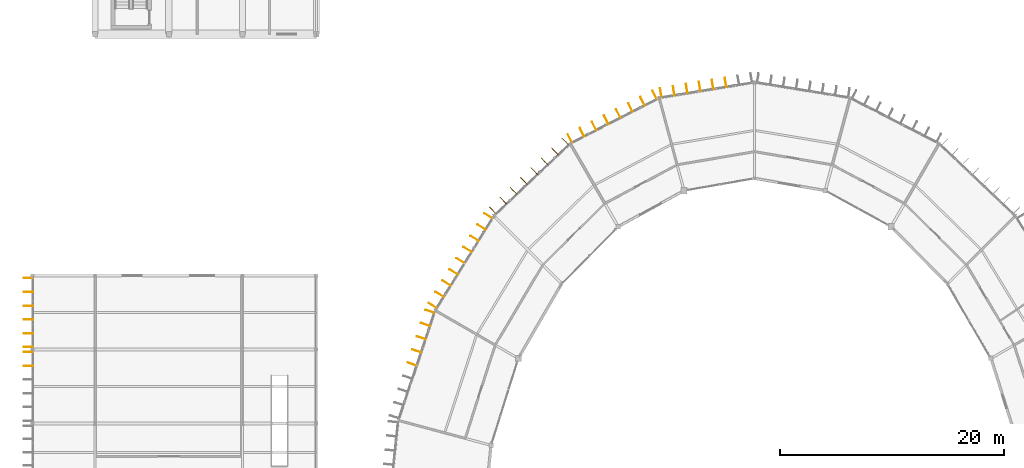
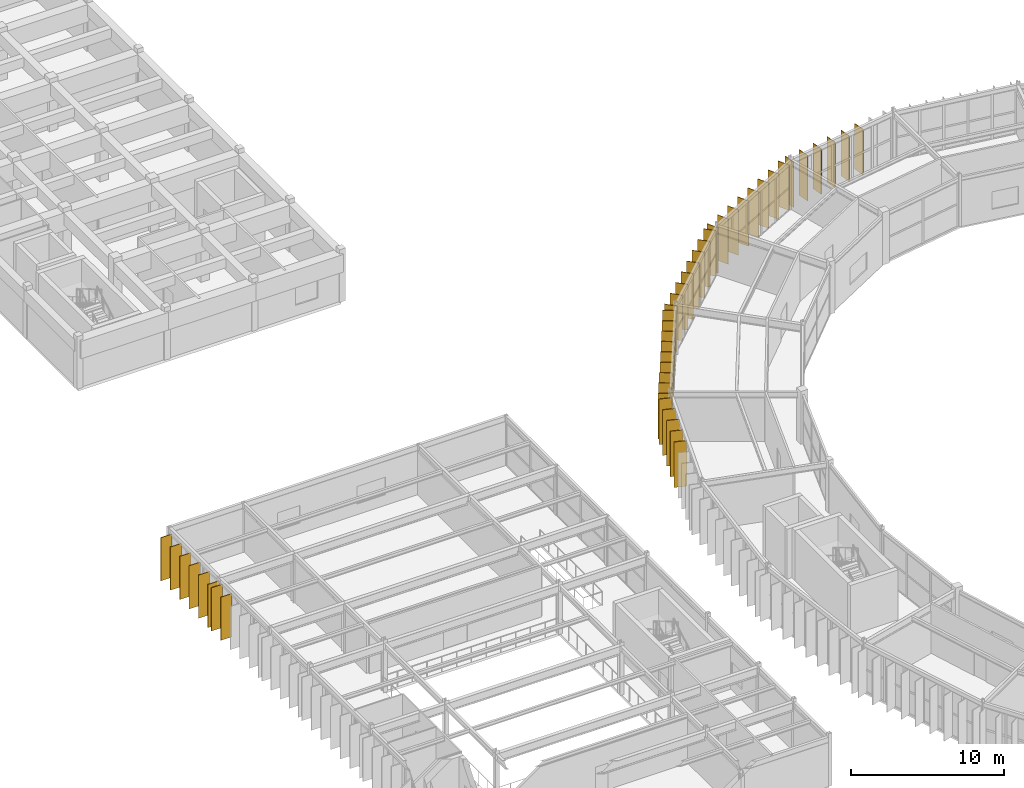
# One storey, part 153 of 157: 44 shading devices.
"""IFC4 building model written with IfcOpenShell, lengths in metres."""

from ifc_helpers import new_model, si_unit, direction, frame, origin, origin_2d, place, context, subcontext, project, spatial, rectangle, extrude, material, layer, layer_set, type_object, element, save


model = new_model("IFC4")

# Units and contexts
model_context = context("Model", 3, precision=1e-05, world=origin(), true_north=direction((0.0, 1.0)))
body_context = subcontext(model_context, "Body", "Model", "MODEL_VIEW")
ifc_project = project(units=[si_unit("LENGTHUNIT", "METRE"), si_unit("AREAUNIT", "SQUARE_METRE"), si_unit("VOLUMEUNIT", "CUBIC_METRE"), si_unit("PLANEANGLEUNIT", "RADIAN"), si_unit("MASSUNIT", "GRAM", prefix="KILO")], contexts=[model_context])

# Site, building, storey
site_placement = place(None, origin())
site = spatial("IfcSite", under=ifc_project, at=site_placement, CompositionType="ELEMENT")
building_placement = place(site_placement, origin())
building = spatial("IfcBuilding", under=site, at=building_placement, Name="Karori Crest Natural Sciences Institute", CompositionType="ELEMENT")
storey_placement = place(building_placement, frame((0.0, 0.0, 13.300048828125)))
storey = spatial("IfcBuildingStorey", under=building, at=storey_placement, Name="L03", CompositionType="ELEMENT", Elevation=13.300048828125)

# Shading devices
ifc_material = material(Name="Anodised architectural aluminium 6063-T6", Category="aluminium")
ifc_layer = layer(ifc_material, 0.044921875, Name="Anodised architectural aluminium 6063-T6")
ifc_layer_set = layer_set([ifc_layer], Name="Anodised architectural aluminium 6063-T6")
shading_device_type = type_object("IfcShadingDeviceType", Name="SDT-FIN", PredefinedType="USERDEFINED", material=ifc_layer_set)
for number, where, z_axis, x_axis, name in (
    (1, (58.016845703125, 89.7509765625, 0.0), (0.0, 0.0, 1.0), (-0.160649542674, 0.987011511807, 0.0), "Vertical solar fin FN-0460"),
    (2, (59.173095703125, 89.939208984375, 0.0), (0.0, 0.0, 1.0), (-0.160649542674, 0.987011511807, 0.0), "Vertical solar fin FN-0461"),
    (3, (60.3291015625, 90.127197265625, 0.0), (0.0, 0.0, 1.0), (-0.160649542674, 0.987011511807, 0.0), "Vertical solar fin FN-0462"),
    (4, (61.485107421875, 90.3154296875, 0.0), (0.0, 0.0, 1.0), (-0.160649542674, 0.987011511807, 0.0), "Vertical solar fin FN-0463"),
    (5, (62.64111328125, 90.503662109375, 0.0), (0.0, 0.0, 1.0), (-0.160649542674, 0.987011511807, 0.0), "Vertical solar fin FN-0464"),
    (6, (63.79736328125, 90.69189453125, 0.0), (0.0, 0.0, 1.0), (-0.160649542674, 0.987011511807, 0.0), "Vertical solar fin FN-0465"),
    (7, (49.877197265625, 85.682861328125, 0.0), (0.0, 0.0, 1.0), (-0.455829213737, 0.890067260326, 0.0), "Vertical solar fin FN-0468"),
    (8, (50.960205078125, 86.2373046875, 0.0), (0.0, 0.0, 1.0), (-0.455829213737, 0.890067260326, 0.0), "Vertical solar fin FN-0469"),
    (9, (52.043212890625, 86.7919921875, 0.0), (0.0, 0.0, 1.0), (-0.455829213737, 0.890067260326, 0.0), "Vertical solar fin FN-0470"),
    (10, (53.126220703125, 87.3466796875, 0.0), (0.0, 0.0, 1.0), (-0.455829213737, 0.890067260326, 0.0), "Vertical solar fin FN-0471"),
    (11, (54.208984375, 87.901123046875, 0.0), (0.0, 0.0, 1.0), (-0.455829213737, 0.890067260326, 0.0), "Vertical solar fin FN-0472"),
    (12, (55.2919921875, 88.455810546875, 0.0), (0.0, 0.0, 1.0), (-0.455829213737, 0.890067260326, 0.0), "Vertical solar fin FN-0473"),
    (13, (56.375, 89.010498046875, 0.0), (0.0, 0.0, 1.0), (-0.455829213737, 0.890067260326, 0.0), "Vertical solar fin FN-0474"),
    (14, (57.4580078125, 89.56494140625, 0.0), (0.0, 0.0, 1.0), (-0.455829213737, 0.890067260326, 0.0), "Vertical solar fin FN-0475"),
    (15, (42.982421875, 79.236328125, 0.0), (0.0, 0.0, 1.0), (-0.688250755242, 0.725472878824, 0.0), "Vertical solar fin FN-0476"),
    (16, (43.9091796875, 80.115478515625, 0.0), (0.0, 0.0, 1.0), (-0.688250755242, 0.725472878824, 0.0), "Vertical solar fin FN-0477"),
    (17, (44.8359375, 80.99462890625, 0.0), (0.0, 0.0, 1.0), (-0.688250755242, 0.725472878824, 0.0), "Vertical solar fin FN-0478"),
    (18, (45.7626953125, 81.873779296875, 0.0), (0.0, 0.0, 1.0), (-0.688250755242, 0.725472878824, 0.0), "Vertical solar fin FN-0479"),
    (19, (46.689453125, 82.753173828125, 0.0), (0.0, 0.0, 1.0), (-0.688250755242, 0.725472878824, 0.0), "Vertical solar fin FN-0480"),
    (20, (47.6162109375, 83.63232421875, 0.0), (0.0, 0.0, 1.0), (-0.688250755242, 0.725472878824, 0.0), "Vertical solar fin FN-0481"),
    (21, (48.54296875, 84.51171875, 0.0), (0.0, 0.0, 1.0), (-0.688250755242, 0.725472878824, 0.0), "Vertical solar fin FN-0482"),
    (22, (49.4697265625, 85.390869140625, 0.0), (0.0, 0.0, 1.0), (-0.688250755242, 0.725472878824, 0.0), "Vertical solar fin FN-0483"),
    (23, (37.603515625, 70.7265625, 0.0), (0.0, 0.0, 1.0), (-0.849664524961, 0.527323615081, 0.0), "Vertical solar fin FN-0484"),
    (24, (38.22607421875, 71.729736328125, 0.0), (0.0, 0.0, 1.0), (-0.849664524961, 0.527323615081, 0.0), "Vertical solar fin FN-0485"),
    (25, (38.8486328125, 72.733154296875, 0.0), (0.0, 0.0, 1.0), (-0.849664524961, 0.527323615081, 0.0), "Vertical solar fin FN-0486"),
    (26, (39.471435546875, 73.736328125, 0.0), (0.0, 0.0, 1.0), (-0.849664524961, 0.527323615081, 0.0), "Vertical solar fin FN-0487"),
    (27, (40.093994140625, 74.73974609375, 0.0), (0.0, 0.0, 1.0), (-0.849664524961, 0.527323615081, 0.0), "Vertical solar fin FN-0488"),
    (28, (40.716796875, 75.742919921875, 0.0), (0.0, 0.0, 1.0), (-0.849664524961, 0.527323615081, 0.0), "Vertical solar fin FN-0489"),
    (29, (41.33935546875, 76.746337890625, 0.0), (0.0, 0.0, 1.0), (-0.849664524961, 0.527323615081, 0.0), "Vertical solar fin FN-0490"),
    (30, (41.962158203125, 77.74951171875, 0.0), (0.0, 0.0, 1.0), (-0.849664524961, 0.527323615081, 0.0), "Vertical solar fin FN-0491"),
    (31, (42.584716796875, 78.7529296875, 0.0), (0.0, 0.0, 1.0), (-0.849664524961, 0.527323615081, 0.0), "Vertical solar fin FN-0492"),
    (32, (35.7763671875, 65.487060546875, 0.0), (0.0, 0.0, 1.0), (-0.948197867933, 0.317680347595, 0.0), "Vertical solar fin FN-0497"),
    (33, (36.171875, 66.66796875, 0.0), (0.0, 0.0, 1.0), (-0.948197867933, 0.317680347595, 0.0), "Vertical solar fin FN-0498"),
    (34, (36.567626953125, 67.8486328125, 0.0), (0.0, 0.0, 1.0), (-0.948197867933, 0.317680347595, 0.0), "Vertical solar fin FN-0499"),
    (35, (36.963134765625, 69.029541015625, 0.0), (0.0, 0.0, 1.0), (-0.948197867933, 0.317680347595, 0.0), "Vertical solar fin FN-0500"),
    (36, (37.35888671875, 70.210205078125, 0.0), (0.0, 0.0, 1.0), (-0.948197867933, 0.317680347595, 0.0), "Vertical solar fin FN-0501"),
):
    element("IfcShadingDevice", number, at=place(storey_placement, frame(where, z_axis=z_axis, x_axis=x_axis)), inside=storey, type_object=shading_device_type, Name=name, ObjectType="SOLAR_FIN", PredefinedType="USERDEFINED", context=body_context, shape_type="SweptSolid", body=[
        extrude(rectangle(XDim=0.85009765625, YDim=0.044921875, at=origin_2d()), origin(), (0.0, 0.0, 1.0), 3.625),
    ])
for number, where, z_axis, x_axis, name in (
    (37, (1.449951171875, 65.34619140625, 0.0), (0.0, 0.0, 1.0), (-1.0, 0.0, 0.0), "Vertical solar fin FN-1371"),
    (38, (1.449951171875, 66.576904296875, 0.0), (0.0, 0.0, 1.0), (-1.0, 0.0, 0.0), "Vertical solar fin FN-1372"),
    (39, (1.449951171875, 67.02294921875, 0.0), (0.0, 0.0, 1.0), (-1.0, 0.0, 0.0), "Vertical solar fin FN-1373"),
    (40, (1.449951171875, 68.25390625, 0.0), (0.0, 0.0, 1.0), (-1.0, 0.0, 0.0), "Vertical solar fin FN-1374"),
    (41, (1.449951171875, 69.484619140625, 0.0), (0.0, 0.0, 1.0), (-1.0, 0.0, 0.0), "Vertical solar fin FN-1375"),
    (42, (1.449951171875, 70.71533203125, 0.0), (0.0, 0.0, 1.0), (-1.0, 0.0, 0.0), "Vertical solar fin FN-1376"),
    (43, (1.449951171875, 71.9462890625, 0.0), (0.0, 0.0, 1.0), (-1.0, 0.0, 0.0), "Vertical solar fin FN-1377"),
    (44, (1.449951171875, 73.177001953125, 0.0), (0.0, 0.0, 1.0), (-1.0, 0.0, 0.0), "Vertical solar fin FN-1378"),
):
    element("IfcShadingDevice", number, at=place(storey_placement, frame(where, z_axis=z_axis, x_axis=x_axis)), inside=storey, type_object=shading_device_type, Name=name, ObjectType="SOLAR_FIN", PredefinedType="USERDEFINED", context=body_context, shape_type="SweptSolid", body=[
        extrude(rectangle(XDim=0.85009765625, YDim=0.044921875, at=origin_2d()), origin(), (0.0, 0.0, 1.0), 3.445068359375),
    ])

save(model, "model.ifc")
